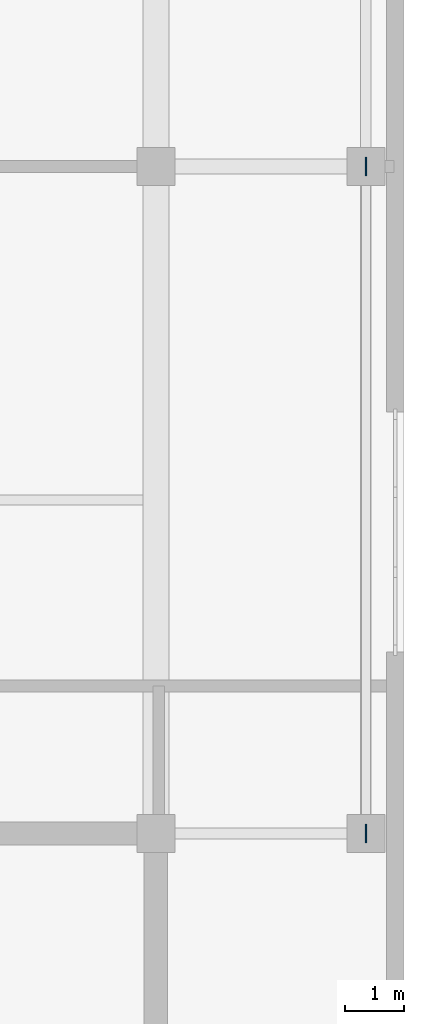
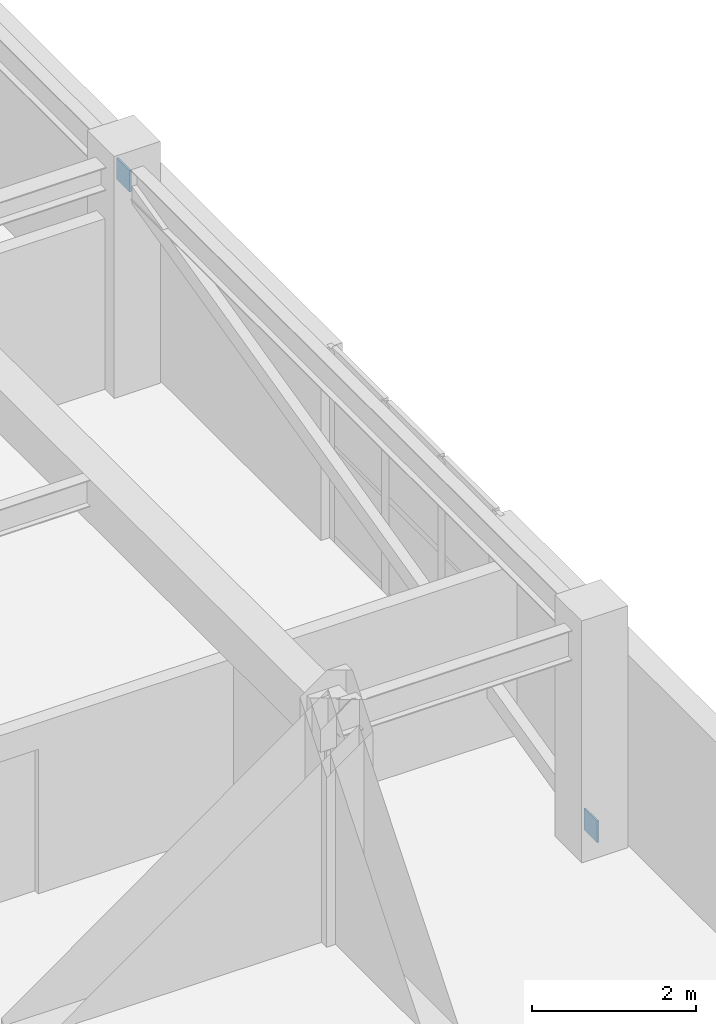
# One storey, part 8 of 9: 2 discrete accessories.
"""IFC4 building model written with IfcOpenShell, lengths in metres."""

import ifcopenshell
import ifcopenshell.guid

model = None  # the IFC model being written
_history = None  # IfcOwnerHistory: only IFC2X3 demands one
_inside = {}  # id of a spatial element -> (the spatial element, [elements in it])
_under = {}  # id of a project, library or spatial element -> (it, [spatial elements below it])
_declared = {}  # id of a project -> (the project, [libraries it declares])
_typed = {}  # id of a type object -> (the type object, [elements of that type])
_made_of = {}  # id of a material, layer set ... -> (it, [elements and type objects made of it])


def new_model(schema):
    """Start an empty IFC model of exactly this schema.

    Asked for "IFC4X3", IfcOpenShell would pick the latest addendum, in which some entities
    have other attributes; the version numbers below select the first issue.
    IFC2X3 requires an IfcOwnerHistory on every rooted entity: one is made here for all.
    """
    global model, _history
    if schema == "IFC4X3":
        model = ifcopenshell.file(schema_version=(4, 3, 0, 0))
    else:
        model = ifcopenshell.file(schema=schema)
    _inside.clear()
    _under.clear()
    _declared.clear()
    _typed.clear()
    _made_of.clear()
    _history = None
    if model.schema == "IFC2X3":
        org = make("IfcOrganization", Name="unknown")
        user = make(
            "IfcPersonAndOrganization",
            ThePerson=make("IfcPerson", FamilyName="unknown"),
            TheOrganization=org,
        )
        app = make(
            "IfcApplication",
            ApplicationDeveloper=org,
            Version="unknown",
            ApplicationFullName="unknown",
            ApplicationIdentifier="unknown",
        )
        _history = make(
            "IfcOwnerHistory",
            OwningUser=user,
            OwningApplication=app,
            ChangeAction="ADDED",
            CreationDate=0,
        )
    return model


def make(cls, **values):
    """One entity of the class cls with the attributes given. An attribute that is None is left unset."""
    return model.create_entity(
        cls, **{name: value for name, value in values.items() if value is not None}
    )


def rooted(cls, **values):
    """An entity with a GlobalId (a new one), such as an element, a storey or a relation."""
    return make(cls, GlobalId=ifcopenshell.guid.new(), OwnerHistory=_history, **values)


def si_unit(unit_type, name, prefix=None):
    """IfcSIUnit, for example si_unit("LENGTHUNIT", "METRE", prefix="MILLI")."""
    return make("IfcSIUnit", UnitType=unit_type, Prefix=prefix, Name=name)


def assignment(units):
    """IfcUnitAssignment: the units of a project."""
    return None if units is None else make("IfcUnitAssignment", Units=units)


def point(xyz):
    """IfcCartesianPoint."""
    return None if xyz is None else make("IfcCartesianPoint", Coordinates=xyz)


def direction(xyz):
    """IfcDirection."""
    return None if xyz is None else make("IfcDirection", DirectionRatios=xyz)


def frame(location, z_axis=None, x_axis=None):
    """IfcAxis2Placement3D, a coordinate frame: its origin and axes. An axis left out is left unset."""
    return make(
        "IfcAxis2Placement3D",
        Location=point(location),
        Axis=direction(z_axis),
        RefDirection=direction(x_axis),
    )


def frame_2d(location, x_axis=None):
    """IfcAxis2Placement2D, a coordinate frame in the plane: its origin and x axis."""
    return make(
        "IfcAxis2Placement2D", Location=point(location), RefDirection=direction(x_axis)
    )


def origin():
    """The frame at (0, 0, 0) with its axes left unset."""
    return frame((0.0, 0.0, 0.0))


def origin_2d():
    """The frame at (0, 0) in the plane with its x axis left unset."""
    return frame_2d((0.0, 0.0))


def place(relative_to, where):
    """IfcLocalPlacement: puts the frame where relative to a parent placement (None: the world)."""
    return make(
        "IfcLocalPlacement", PlacementRelTo=relative_to, RelativePlacement=where
    )


def context(
    kind, dimensions, precision=None, world=None, true_north=None, identifier=None
):
    """IfcGeometricRepresentationContext, for example the 3D "Model" context."""
    return make(
        "IfcGeometricRepresentationContext",
        ContextIdentifier=identifier,
        ContextType=kind,
        CoordinateSpaceDimension=dimensions,
        Precision=precision,
        WorldCoordinateSystem=world,
        TrueNorth=true_north,
    )


def subcontext(parent, identifier, kind, view, scale=None):
    """IfcGeometricRepresentationSubContext, for example "Body" below "Model"."""
    return make(
        "IfcGeometricRepresentationSubContext",
        ContextIdentifier=identifier,
        ContextType=kind,
        ParentContext=parent,
        TargetScale=scale,
        TargetView=view,
    )


def project(units=None, contexts=None):
    """IfcProject with its units and contexts."""
    return rooted(
        "IfcProject",
        Name="project",
        RepresentationContexts=contexts,
        UnitsInContext=assignment(units),
    )


def spatial(cls, under=None, at=None, **own):
    """A site, building, storey or space (cls), placed at a placement, below another one or the project."""
    s = rooted(cls, ObjectPlacement=at, **own)
    if under is not None:
        _under.setdefault(under.id(), (under, []))[1].append(s)
    return s


def profile(cls, at=None, kind="AREA", **sizes):
    """A parametric profile (cls). Its sizes go by their IFC names, for example OverallWidth=200.0."""
    return make(cls, ProfileType=kind, Position=at, **sizes)


def rectangle(**sizes):
    """IfcRectangleProfileDef."""
    return profile("IfcRectangleProfileDef", **sizes)


def extrude(swept, where, along, depth):
    """IfcExtrudedAreaSolid: the profile swept, set in the frame where, extruded along a direction by depth."""
    return make(
        "IfcExtrudedAreaSolid",
        SweptArea=swept,
        Position=where,
        ExtrudedDirection=direction(along),
        Depth=depth,
    )


def shape(context_of_items, identifier, shape_type, items):
    """IfcShapeRepresentation: the items that make up one representation, for example the "Body"."""
    return make(
        "IfcShapeRepresentation",
        ContextOfItems=context_of_items,
        RepresentationIdentifier=identifier,
        RepresentationType=shape_type,
        Items=items,
    )


def material(Name=None, Category=None):
    """IfcMaterial."""
    return make("IfcMaterial", Name=Name, Category=Category)


def layer(
    of_material, thickness, ventilated=None, Name=None, Category=None, Priority=None
):
    """IfcMaterialLayer: one layer of a wall or slab, of a material (None: an air gap)."""
    return make(
        "IfcMaterialLayer",
        Material=of_material,
        LayerThickness=thickness,
        IsVentilated=ventilated,
        Name=Name,
        Category=Category,
        Priority=Priority,
    )


def layer_set(layers, Name=None):
    """IfcMaterialLayerSet."""
    return make("IfcMaterialLayerSet", MaterialLayers=layers, LayerSetName=Name)


def made_of(thing, what):
    """Note that an element or type object is made of a material, layer set ...; save() writes the relation."""
    if what is not None:
        _made_of.setdefault(what.id(), (what, []))[1].append(thing)
    return thing


def type_object(cls, material=None, **own):
    """A type object (cls), such as IfcWallType, which elements share."""
    return made_of(rooted(cls, **own), material)


def element(
    cls,
    number,
    at=None,
    inside=None,
    cuts=None,
    type_object=None,
    material=None,
    context=None,
    identifier="Body",
    shape_type=None,
    held_by="IfcProductDefinitionShape",
    body=None,
    shapes=None,
    **own,
):
    """One element of the class cls, such as IfcWall. Its Tag is "e" and its number.

    at: its placement. inside: the storey or other place that contains it. cuts: it is an
    opening in that element (IfcRelVoidsElement). A single representation is given by context,
    identifier, shape_type and body (its items); several are given by shapes. held_by: the class
    of the entity that holds the representations. save() writes the other relations.
    """
    e = rooted(cls, Tag="e%d" % number, ObjectPlacement=at, **own)
    if body is not None:
        shapes = [shape(context, identifier, shape_type, body)]
    if shapes is not None:
        e.Representation = make(held_by, Representations=shapes)
    if inside is not None:
        _inside.setdefault(inside.id(), (inside, []))[1].append(e)
    if cuts is not None:
        rooted(
            "IfcRelVoidsElement", RelatingBuildingElement=cuts, RelatedOpeningElement=e
        )
    if type_object is not None:
        _typed.setdefault(type_object.id(), (type_object, []))[1].append(e)
    return made_of(e, material)


def aggregate(whole, parts):
    """IfcRelAggregates: a whole, such as a stair, and the parts it consists of."""
    return rooted("IfcRelAggregates", RelatingObject=whole, RelatedObjects=parts)


def save(model, path):
    """Write the relations noted so far, then the file.

    IfcRelAggregates (storeys below a building ...), IfcRelContainedInSpatialStructure (elements
    in a storey), IfcRelDefinesByType, IfcRelAssociatesMaterial and IfcRelDeclares: one each for
    every whole, place, type object, material and project.
    """
    for whole, parts in _under.values():
        aggregate(whole, parts)
    for where, things in _inside.values():
        rooted(
            "IfcRelContainedInSpatialStructure",
            RelatedElements=things,
            RelatingStructure=where,
        )
    for kind, things in _typed.values():
        rooted("IfcRelDefinesByType", RelatedObjects=things, RelatingType=kind)
    for what, things in _made_of.values():
        rooted("IfcRelAssociatesMaterial", RelatedObjects=things, RelatingMaterial=what)
    for by, libraries in _declared.values():
        rooted("IfcRelDeclares", RelatingContext=by, RelatedDefinitions=libraries)
    model.write(path)


model = new_model("IFC4")

# Units and contexts
model_context = context("Model", 3, precision=1e-05, world=origin(), true_north=direction((0.0, 1.0)))
body_context = subcontext(model_context, "Body", "Model", "MODEL_VIEW")
ifc_project = project(units=[si_unit("LENGTHUNIT", "METRE"), si_unit("AREAUNIT", "SQUARE_METRE"), si_unit("VOLUMEUNIT", "CUBIC_METRE"), si_unit("PLANEANGLEUNIT", "RADIAN"), si_unit("MASSUNIT", "GRAM", prefix="KILO")], contexts=[model_context])

# Site, building, storey
site_placement = place(None, origin())
site = spatial("IfcSite", under=ifc_project, at=site_placement, CompositionType="ELEMENT")
building_placement = place(site_placement, origin())
building = spatial("IfcBuilding", under=site, at=building_placement, Name="Svetorya Sky Lyceum", CompositionType="ELEMENT")
storey_placement = place(building_placement, frame((0.0, 0.0, 305.60009765625)))
storey = spatial("IfcBuildingStorey", under=building, at=storey_placement, Name="C02", CompositionType="ELEMENT", Elevation=305.60009765625)

# Discrete accessories
ifc_material = material(Name="Steel S355", Category="steel")
ifc_layer = layer(ifc_material, 0.02392578125)
ifc_layer_set = layer_set([ifc_layer], Name="Steel S355")
discrete_accessory_type = type_object("IfcDiscreteAccessoryType", Name="ACC-GUSSET-24", PredefinedType="BRACKET", material=ifc_layer_set)
for number, where, z_axis, x_axis, name in (
    (1, (56.389892578125, 16.800048828125, 0.08984375), (0.0, 0.0, 1.0), (1.0, 0.0, 0.0), "C02 Brace Node Gusset Plate 199"),
    (2, (56.389892578125, 28.199951171875, 2.85986328125), (0.0, 0.0, 1.0), (1.0, 0.0, 0.0), "C02 Brace Node Gusset Plate 200"),
):
    element("IfcDiscreteAccessory", number, at=place(storey_placement, frame(where, z_axis=z_axis, x_axis=x_axis)), inside=storey, type_object=discrete_accessory_type, Name=name, PredefinedType="BRACKET", context=body_context, shape_type="SweptSolid", body=[
        extrude(rectangle(XDim=0.02392578125, YDim=0.320068359375, at=origin_2d()), origin(), (0.0, 0.0, 1.0), 0.320068359375),
    ])

save(model, "model.ifc")
